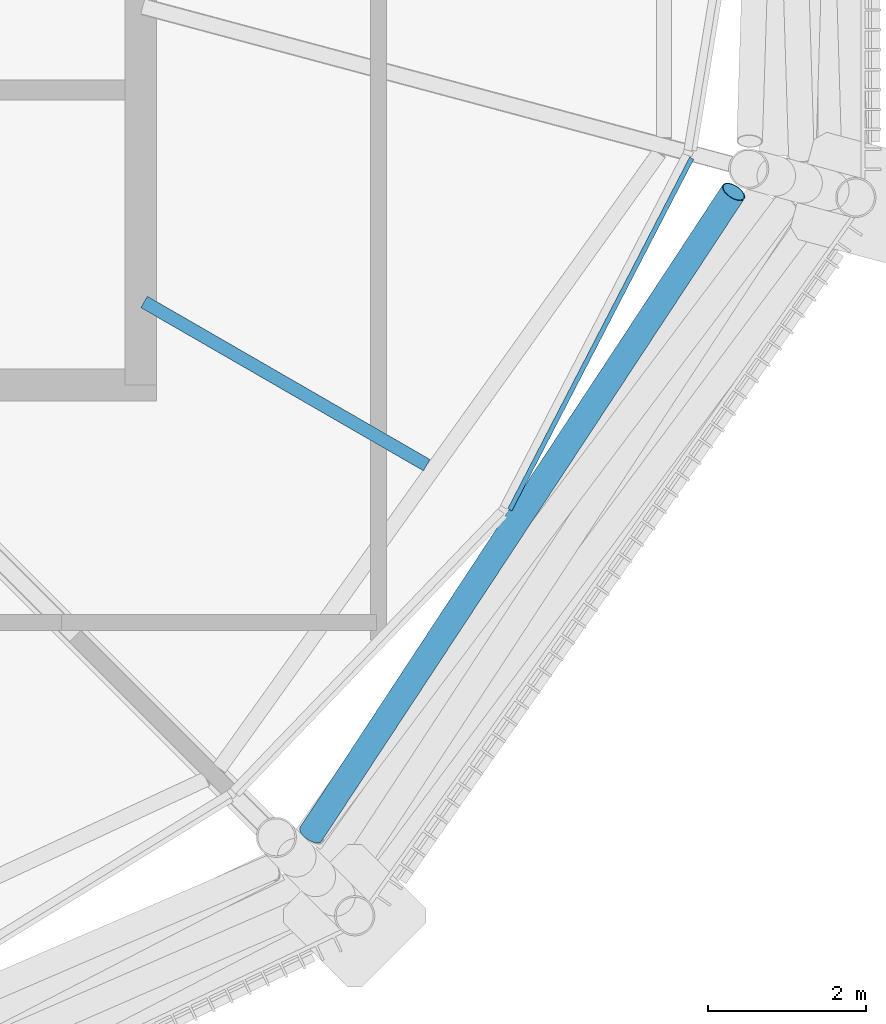
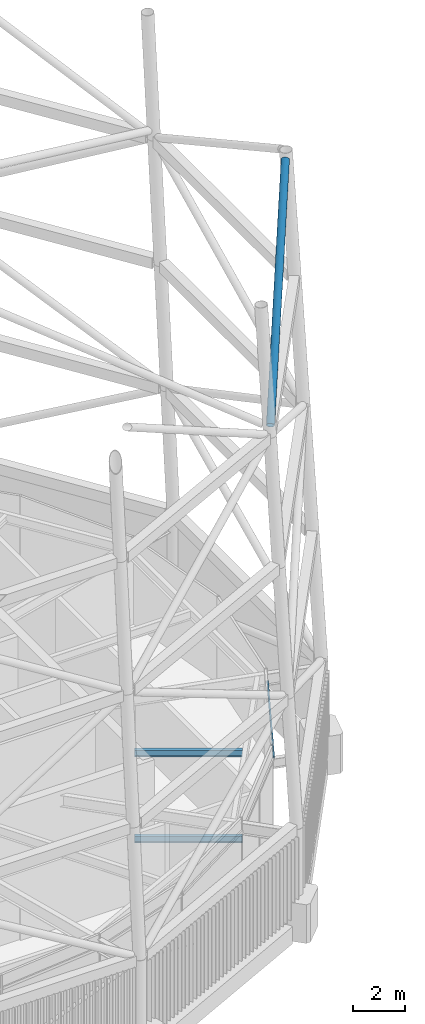
# One storey, part 20 of 71: 2 beams, 2 members, 1 element without a shape of its own.
"""IFC4 building model written with IfcOpenShell, lengths in metres."""

from ifc_helpers import new_model, si_unit, direction, frame, origin, origin_2d, place, context, subcontext, project, spatial, rectangle, hollow_circle, i_section, extrude, material, material_profile, profile_set, type_object, element, aggregate, save


model = new_model("IFC4")

# Units and contexts
model_context = context("Model", 3, precision=1e-05, world=origin(), true_north=direction((0.0, 1.0)))
body_context = subcontext(model_context, "Body", "Model", "MODEL_VIEW")
ifc_project = project(units=[si_unit("LENGTHUNIT", "METRE"), si_unit("AREAUNIT", "SQUARE_METRE"), si_unit("VOLUMEUNIT", "CUBIC_METRE"), si_unit("PLANEANGLEUNIT", "RADIAN"), si_unit("MASSUNIT", "GRAM", prefix="KILO")], contexts=[model_context])

# Site, building, storey
site_placement = place(None, origin())
site = spatial("IfcSite", under=ifc_project, at=site_placement, CompositionType="ELEMENT")
building_placement = place(site_placement, origin())
building = spatial("IfcBuilding", under=site, at=building_placement, Name="Rimbun Link Towers", CompositionType="ELEMENT")
storey_placement = place(building_placement, frame((0.0, 0.0, 267.60009765625)))
storey = spatial("IfcBuildingStorey", under=building, at=storey_placement, Name="L65", CompositionType="ELEMENT", Elevation=267.60009765625)

# Curtain wall, member
ifc_material_1 = material(Name="Aluminium 6063-T6 louvre wall", Category="aluminium")
curtain_wall_type = type_object("IfcCurtainWallType", Name="CW6 plant floor louvre wall", PredefinedType="NOTDEFINED", material=ifc_material_1)
curtain_wall_placement = place(storey_placement, origin())
curtain_wall = element("IfcCurtainWall", 1, at=curtain_wall_placement, inside=storey, type_object=curtain_wall_type, Name="CW6 L65 T1", PredefinedType="NOTDEFINED")
ifc_material_2 = material(Name="Aluminium 6063-T6", Category="aluminium")
ifc_material_profile_1 = material_profile(ifc_material_2, rectangle(XDim=0.06005859375, YDim=0.1201171875, at=origin_2d()), Name="TRANSOM 60X120")
ifc_profile_set_1 = profile_set([ifc_material_profile_1], Name="Aluminium 6063-T6")
member_type_1 = type_object("IfcMemberType", Name="CW6 transom 60X120", PredefinedType="USERDEFINED", material=ifc_profile_set_1)
member_1_placement = place(storey_placement, frame((-12.794677734375, -5.13818359375, 3.39990234375), z_axis=(-0.459541205413, -0.888156450479, 0.0), x_axis=(0.888156450479, -0.459541205413, 0.0)))
member_1 = element("IfcMember", 2, at=member_1_placement, type_object=member_type_1, Name="CW6 transom", ObjectType="TRANSOM", PredefinedType="USERDEFINED", context=body_context, shape_type="SweptSolid", body=[
    extrude(rectangle(XDim=0.06005859375, YDim=0.1201171875, at=origin_2d()), origin(), (0.0, 0.0, 1.0), 4.9970703125),
])
aggregate(curtain_wall, [member_1])

# Member
ifc_material_3 = material(Name="Steel S355J2H", Category="steel")
ifc_material_profile_2 = material_profile(ifc_material_3, hollow_circle(Radius=0.161865234375, WallThickness=0.011962890625, at=origin_2d()), Name="Crown frame brace CHS 324x12")
ifc_profile_set_2 = profile_set([ifc_material_profile_2], Name="Steel S355J2H")
member_type_2 = type_object("IfcMemberType", Name="Crown frame brace CHS 324x12", PredefinedType="BRACE", material=ifc_profile_set_2)
member_2_placement = place(storey_placement, frame((-17.60107421875, -13.669189453125, 22.19970703125), z_axis=(0.476134531922, 0.723548449031, 0.499773498113), x_axis=(-0.83535568197, 0.549709818542, 0.0)))
element("IfcMember", 3, at=member_2_placement, inside=storey, type_object=member_type_2, Name="CROWN FRAME brace T1 5-10", PredefinedType="BRACE", context=body_context, shape_type="SweptSolid", body=[
    extrude(hollow_circle(Radius=0.161865234375, WallThickness=0.011962890625, at=origin_2d()), origin(), (0.0, 0.0, 1.0), 11.205810546875),
])

# Beams
ifc_material_4 = material(Name="Steel S355J2", Category="steel")
ifc_material_profile_3 = material_profile(ifc_material_4, i_section(OverallWidth=0.1650390625, OverallDepth=0.303466796875, WebThickness=0.006103515625, FlangeThickness=0.01025390625, at=origin_2d()), Name="UB 305x165x40")
ifc_profile_set_3 = profile_set([ifc_material_profile_3], Name="Steel S355J2")
beam_type = type_object("IfcBeamType", Name="UB 305x165x40", PredefinedType="BEAM", material=ifc_profile_set_3)
for number, where, z_axis, x_axis, name in (
    (4, (-19.7080078125, -6.952392578125, -0.351806640625), (0.866009926209, -0.50002680699, 0.0), (0.50002680699, 0.866009926209, 0.0), "Radial beam T1 L65 22"),
    (5, (-19.7080078125, -6.952392578125, 3.648193359375), (0.866009926209, -0.50002680699, 0.0), (0.50002680699, 0.866009926209, 0.0), "Radial beam T1 L65 22"),
):
    element("IfcBeam", number, at=place(storey_placement, frame(where, z_axis=z_axis, x_axis=x_axis)), inside=storey, type_object=beam_type, Name=name, PredefinedType="BEAM", context=body_context, shape_type="SweptSolid", body=[
        extrude(i_section(OverallWidth=0.1650390625, OverallDepth=0.303466796875, WebThickness=0.006103515625, FlangeThickness=0.01025390625, at=origin_2d()), origin(), (0.0, 0.0, 1.0), 4.119873046875),
    ])

save(model, "model.ifc")
